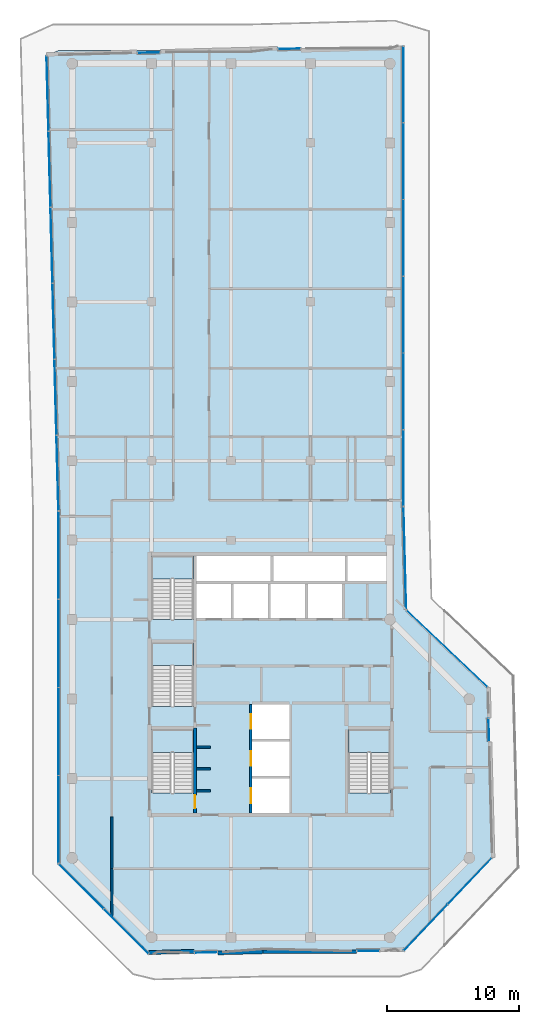
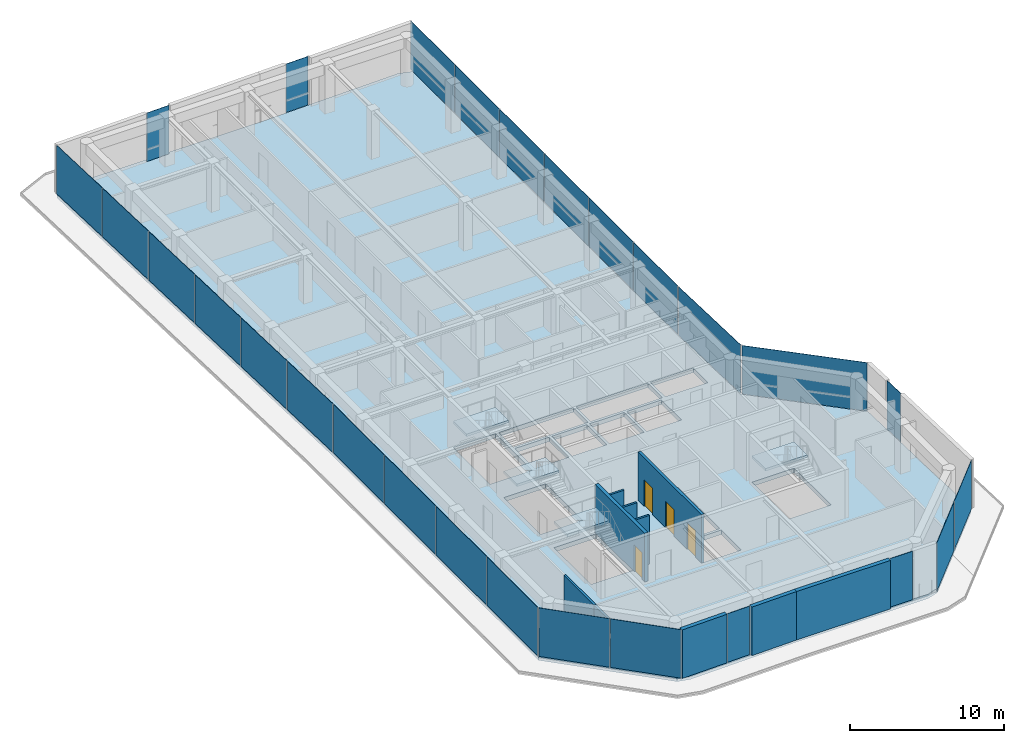
# One storey, part 15 of 20: 27 plates, 10 walls, 5 slabs, 4 doors, 4 openings, 16 elements without a shape of their own.
"""IFC4 building model written with IfcOpenShell, lengths in metres."""

from ifc_helpers import new_model, si_unit, direction, frame, frame_2d, origin, origin_2d, place, context, subcontext, project, spatial, polyline, rectangle, outline, extrude, material, layer, layer_set, type_object, element, fill, aggregate, save


model = new_model("IFC4")

# Units and contexts
model_context = context("Model", 3, precision=1e-05, world=origin(), true_north=direction((0.0, 1.0)))
body_context = subcontext(model_context, "Body", "Model", "MODEL_VIEW")
ifc_project = project(units=[si_unit("LENGTHUNIT", "METRE"), si_unit("AREAUNIT", "SQUARE_METRE"), si_unit("VOLUMEUNIT", "CUBIC_METRE"), si_unit("PLANEANGLEUNIT", "RADIAN"), si_unit("MASSUNIT", "GRAM", prefix="KILO")], contexts=[model_context])

# Site, building, storey
site_placement = place(None, origin())
site = spatial("IfcSite", under=ifc_project, at=site_placement, CompositionType="ELEMENT")
building_placement = place(site_placement, origin())
building = spatial("IfcBuilding", under=site, at=building_placement, Name="Welwitschia Terrace Campus", CompositionType="ELEMENT")
storey_placement = place(building_placement, frame((0.0, 0.0, 293.60009765625)))
storey = spatial("IfcBuildingStorey", under=building, at=storey_placement, Name="L65", CompositionType="ELEMENT", Elevation=293.60009765625)

# Curtain wall, plates
ifc_material_1 = material(Name="Bronze anodised aluminium", Category="aluminium")
ifc_layer_1 = layer(ifc_material_1, 0.1201171875)
ifc_layer_set_1 = layer_set([ifc_layer_1], Name="Bronze anodised aluminium")
curtain_wall_type = type_object("IfcCurtainWallType", Name="Curtain wall CW2 tower 6000", PredefinedType="NOTDEFINED", material=ifc_layer_set_1)
curtain_wall_1_placement = place(storey_placement, origin())
curtain_wall_1 = element("IfcCurtainWall", 1, at=curtain_wall_1_placement, inside=storey, type_object=curtain_wall_type, Name="CW L65.0.0", PredefinedType="NOTDEFINED")
ifc_material_2 = material(Name="Tinted bronze-grey glass", Category="glass")
ifc_layer_2 = layer(ifc_material_2, 0.028076171875)
ifc_layer_set_2 = layer_set([ifc_layer_2], Name="Tinted bronze-grey glass")
plate_type = type_object("IfcPlateType", Name="Glass panel 28 tinted", PredefinedType="CURTAIN_PANEL", material=ifc_layer_set_2)
plate_1_placement = place(storey_placement, frame((-1.85595703125, 59.731689453125, -0.000244140625), z_axis=(0.0, 0.0, 1.0), x_axis=(0.026176948308, -0.999657324976, 0.0)))
plate_1 = element("IfcPlate", 2, at=plate_1_placement, type_object=plate_type, Name="Panel L65.0.0.0", PredefinedType="CURTAIN_PANEL", context=body_context, shape_type="SweptSolid", body=[
    extrude(rectangle(XDim=5.649169921875, YDim=0.028076171875, at=origin_2d()), origin(), (0.0, 0.0, 1.0), 3.85009765625),
])
plate_2_placement = place(storey_placement, frame((-1.7060546875, 54.009521484375, -0.000244140625), z_axis=(0.0, 0.0, 1.0), x_axis=(0.026176948308, -0.999657324976, 0.0)))
plate_2 = element("IfcPlate", 3, at=plate_2_placement, type_object=plate_type, Name="Panel L65.0.0.1", PredefinedType="CURTAIN_PANEL", context=body_context, shape_type="SweptSolid", body=[
    extrude(rectangle(XDim=5.67919921875, YDim=0.028076171875, at=origin_2d()), origin(), (0.0, 0.0, 1.0), 3.85009765625),
])
plate_3_placement = place(storey_placement, frame((-1.555908203125, 48.272216796875, -0.000244140625), z_axis=(0.0, 0.0, 1.0), x_axis=(0.026176948308, -0.999657324976, 0.0)))
plate_3 = element("IfcPlate", 4, at=plate_3_placement, type_object=plate_type, Name="Panel L65.0.0.2", PredefinedType="CURTAIN_PANEL", context=body_context, shape_type="SweptSolid", body=[
    extrude(rectangle(XDim=5.67919921875, YDim=0.028076171875, at=origin_2d()), origin(), (0.0, 0.0, 1.0), 3.85009765625),
])
plate_4_placement = place(storey_placement, frame((-1.405517578125, 42.534912109375, -0.000244140625), z_axis=(0.0, 0.0, 1.0), x_axis=(0.026176948308, -0.999657324976, 0.0)))
plate_4 = element("IfcPlate", 5, at=plate_4_placement, type_object=plate_type, Name="Panel L65.0.0.3", PredefinedType="CURTAIN_PANEL", context=body_context, shape_type="SweptSolid", body=[
    extrude(rectangle(XDim=5.67919921875, YDim=0.028076171875, at=origin_2d()), origin(), (0.0, 0.0, 1.0), 3.85009765625),
])
plate_5_placement = place(storey_placement, frame((-1.25537109375, 36.797607421875, -0.000244140625), z_axis=(0.0, 0.0, 1.0), x_axis=(0.026176948308, -0.999657324976, 0.0)))
plate_5 = element("IfcPlate", 6, at=plate_5_placement, type_object=plate_type, Name="Panel L65.0.0.4", PredefinedType="CURTAIN_PANEL", context=body_context, shape_type="SweptSolid", body=[
    extrude(rectangle(XDim=5.67919921875, YDim=0.028076171875, at=origin_2d()), origin(), (0.0, 0.0, 1.0), 3.85009765625),
])
plate_6_placement = place(storey_placement, frame((-1.10546875, 31.075439453125, -0.000244140625), z_axis=(0.0, 0.0, 1.0), x_axis=(0.026176948308, -0.999657324976, 0.0)))
plate_6 = element("IfcPlate", 7, at=plate_6_placement, type_object=plate_type, Name="Panel L65.0.0.5", PredefinedType="CURTAIN_PANEL", context=body_context, shape_type="SweptSolid", body=[
    extrude(rectangle(XDim=5.649169921875, YDim=0.028076171875, at=origin_2d()), origin(), (0.0, 0.0, 1.0), 3.85009765625),
])
aggregate(curtain_wall_1, [plate_1, plate_2, plate_3, plate_4, plate_5, plate_6])

curtain_wall_2_placement = place(storey_placement, origin())
curtain_wall_2 = element("IfcCurtainWall", 8, at=curtain_wall_2_placement, inside=storey, type_object=curtain_wall_type, Name="CW L65.1.0", PredefinedType="NOTDEFINED")
plate_7_placement = place(storey_placement, frame((-1.030029296875, 24.849365234375, -0.000244140625), z_axis=(0.0, 0.0, 1.0), x_axis=(0.0, -1.0, 0.0)))
plate_7 = element("IfcPlate", 9, at=plate_7_placement, type_object=plate_type, Name="Panel L65.1.0.0", PredefinedType="CURTAIN_PANEL", context=body_context, shape_type="SweptSolid", body=[
    extrude(rectangle(XDim=6.564697265625, YDim=0.028076171875, at=origin_2d()), origin(), (0.0, 0.0, 1.0), 3.85009765625),
])
plate_8_placement = place(storey_placement, frame((-1.030029296875, 18.209716796875, -0.000244140625), z_axis=(0.0, 0.0, 1.0), x_axis=(0.0, -1.0, 0.0)))
plate_8 = element("IfcPlate", 10, at=plate_8_placement, type_object=plate_type, Name="Panel L65.1.0.1", PredefinedType="CURTAIN_PANEL", context=body_context, shape_type="SweptSolid", body=[
    extrude(rectangle(XDim=6.594482421875, YDim=0.028076171875, at=origin_2d()), origin(), (0.0, 0.0, 1.0), 3.85009765625),
])
plate_9_placement = place(storey_placement, frame((-1.030029296875, 11.55517578125, -0.000244140625), z_axis=(0.0, 0.0, 1.0), x_axis=(0.0, -1.0, 0.0)))
plate_9 = element("IfcPlate", 11, at=plate_9_placement, type_object=plate_type, Name="Panel L65.1.0.2", PredefinedType="CURTAIN_PANEL", context=body_context, shape_type="SweptSolid", body=[
    extrude(rectangle(XDim=6.594482421875, YDim=0.028076171875, at=origin_2d()), origin(), (0.0, 0.0, 1.0), 3.85009765625),
])
plate_10_placement = place(storey_placement, frame((-1.030029296875, 4.915771484375, -0.000244140625), z_axis=(0.0, 0.0, 1.0), x_axis=(0.0, -1.0, 0.0)))
plate_10 = element("IfcPlate", 12, at=plate_10_placement, type_object=plate_type, Name="Panel L65.1.0.3", PredefinedType="CURTAIN_PANEL", context=body_context, shape_type="SweptSolid", body=[
    extrude(rectangle(XDim=6.564697265625, YDim=0.028076171875, at=origin_2d()), origin(), (0.0, 0.0, 1.0), 3.85009765625),
])
aggregate(curtain_wall_2, [plate_7, plate_8, plate_9, plate_10])

curtain_wall_3_placement = place(storey_placement, origin())
curtain_wall_3 = element("IfcCurtainWall", 13, at=curtain_wall_3_placement, inside=storey, type_object=curtain_wall_type, Name="CW L65.2.0", PredefinedType="NOTDEFINED")
plate_11_placement = place(storey_placement, frame((0.687744140625, -0.14453125, -0.000244140625), z_axis=(0.0, 0.0, 1.0), x_axis=(0.707106781187, -0.707106781187, 0.0)))
plate_11 = element("IfcPlate", 14, at=plate_11_placement, type_object=plate_type, Name="Panel L65.2.0.0", PredefinedType="CURTAIN_PANEL", context=body_context, shape_type="SweptSolid", body=[
    extrude(rectangle(XDim=4.73876953125, YDim=0.028076171875, at=origin_2d()), origin(), (0.0, 0.0, 1.0), 3.85009765625),
])
plate_12_placement = place(storey_placement, frame((4.0810546875, -3.53759765625, -0.000244140625), z_axis=(0.0, 0.0, 1.0), x_axis=(0.707106781187, -0.707106781187, 0.0)))
plate_12 = element("IfcPlate", 15, at=plate_12_placement, type_object=plate_type, Name="Panel L65.2.0.1", PredefinedType="CURTAIN_PANEL", context=body_context, shape_type="SweptSolid", body=[
    extrude(rectangle(XDim=4.73876953125, YDim=0.028076171875, at=origin_2d()), origin(), (0.0, 0.0, 1.0), 3.85009765625),
])
aggregate(curtain_wall_3, [plate_11, plate_12])

# Curtain wall, plate
curtain_wall_4_placement = place(storey_placement, origin())
curtain_wall_4 = element("IfcCurtainWall", 16, at=curtain_wall_4_placement, inside=storey, type_object=curtain_wall_type, Name="CW L65.3.S0", PredefinedType="NOTDEFINED")
plate_13_placement = place(storey_placement, frame((10.104736328125, -5.142822265625, -0.000244140625), z_axis=(0.0, 0.0, 1.0), x_axis=(0.999657324976, 0.026176948308, 0.0)))
plate_13 = element("IfcPlate", 17, at=plate_13_placement, type_object=plate_type, Name="Panel L65.3.S0.0", PredefinedType="CURTAIN_PANEL", context=body_context, shape_type="SweptSolid", body=[
    extrude(rectangle(XDim=1.679931640625, YDim=0.028076171875, at=origin_2d()), origin(), (0.0, 0.0, 1.0), 3.85009765625),
])
aggregate(curtain_wall_4, [plate_13])

curtain_wall_5_placement = place(storey_placement, origin())
curtain_wall_5 = element("IfcCurtainWall", 18, at=curtain_wall_5_placement, inside=storey, type_object=curtain_wall_type, Name="CW L65.4.S0", PredefinedType="NOTDEFINED")
plate_14_placement = place(storey_placement, frame((22.373046875, -5.030029296875, -0.000244140625), z_axis=(0.0, 0.0, 1.0), x_axis=(1.0, 0.0, 0.0)))
plate_14 = element("IfcPlate", 19, at=plate_14_placement, type_object=plate_type, Name="Panel L65.4.S0.0", PredefinedType="CURTAIN_PANEL", context=body_context, shape_type="SweptSolid", body=[
    extrude(rectangle(XDim=1.679931640625, YDim=0.028076171875, at=origin_2d()), origin(), (0.0, 0.0, 1.0), 3.85009765625),
])
aggregate(curtain_wall_5, [plate_14])

# Curtain wall, plates
curtain_wall_6_placement = place(storey_placement, origin())
curtain_wall_6 = element("IfcCurtainWall", 20, at=curtain_wall_6_placement, inside=storey, type_object=curtain_wall_type, Name="CW L65.5.0", PredefinedType="NOTDEFINED")
plate_15_placement = place(storey_placement, frame((26.71240234375, -3.25439453125, -0.000244140625), z_axis=(0.0, 0.0, 1.0), x_axis=(0.688354575694, 0.725374371012, 0.0)))
plate_15 = element("IfcPlate", 21, at=plate_15_placement, type_object=plate_type, Name="Panel L65.5.0.0", PredefinedType="CURTAIN_PANEL", context=body_context, shape_type="SweptSolid", body=[
    extrude(rectangle(XDim=4.77587890625, YDim=0.028076171875, at=origin_2d()), origin(), (0.0, 0.0, 1.0), 3.85009765625),
])
plate_16_placement = place(storey_placement, frame((30.041015625, 0.25341796875, -0.000244140625), z_axis=(0.0, 0.0, 1.0), x_axis=(0.688354575694, 0.725374371012, 0.0)))
plate_16 = element("IfcPlate", 22, at=plate_16_placement, type_object=plate_type, Name="Panel L65.5.0.1", PredefinedType="CURTAIN_PANEL", context=body_context, shape_type="SweptSolid", body=[
    extrude(rectangle(XDim=4.77587890625, YDim=0.028076171875, at=origin_2d()), origin(), (0.0, 0.0, 1.0), 3.85009765625),
])
aggregate(curtain_wall_6, [plate_15, plate_16])

# Curtain wall, plate
curtain_wall_7_placement = place(storey_placement, origin())
curtain_wall_7 = element("IfcCurtainWall", 23, at=curtain_wall_7_placement, inside=storey, type_object=curtain_wall_type, Name="CW L65.6.S0", PredefinedType="NOTDEFINED")
plate_17_placement = place(storey_placement, frame((31.4736328125, 11.665771484375, -0.000244140625), z_axis=(0.0, 0.0, 1.0), x_axis=(-0.026176948308, 0.999657324976, 0.0)))
plate_17 = element("IfcPlate", 24, at=plate_17_placement, type_object=plate_type, Name="Panel L65.6.S0.0", PredefinedType="CURTAIN_PANEL", context=body_context, shape_type="SweptSolid", body=[
    extrude(rectangle(XDim=1.679931640625, YDim=0.028076171875, at=origin_2d()), origin(), (0.0, 0.0, 1.0), 3.85009765625),
])
aggregate(curtain_wall_7, [plate_17])

curtain_wall_8_placement = place(storey_placement, origin())
curtain_wall_8 = element("IfcCurtainWall", 25, at=curtain_wall_8_placement, inside=storey, type_object=curtain_wall_type, Name="CW L65.7.0", PredefinedType="NOTDEFINED")
plate_18_placement = place(storey_placement, frame((28.31201171875, 17.79833984375, -0.000244140625), z_axis=(0.0, 0.0, 1.0), x_axis=(-0.725374371012, 0.688354575694, 0.0)))
plate_18 = element("IfcPlate", 26, at=plate_18_placement, type_object=plate_type, Name="Panel L65.7.0.0", PredefinedType="CURTAIN_PANEL", context=body_context, shape_type="SweptSolid", body=[
    extrude(rectangle(XDim=8.365234375, YDim=0.028076171875, at=origin_2d()), origin(), (0.0, 0.0, 1.0), 3.85009765625),
])
aggregate(curtain_wall_8, [plate_18])

curtain_wall_9_placement = place(storey_placement, origin())
curtain_wall_9 = element("IfcCurtainWall", 27, at=curtain_wall_9_placement, inside=storey, type_object=curtain_wall_type, Name="CW L65.8.0", PredefinedType="NOTDEFINED")
plate_19_placement = place(storey_placement, frame((25.13232421875, 24.625732421875, -0.000244140625), z_axis=(0.0, 0.0, 1.0), x_axis=(-0.026176948308, 0.999657324976, 0.0)))
plate_19 = element("IfcPlate", 28, at=plate_19_placement, type_object=plate_type, Name="Panel L65.8.0.0", PredefinedType="CURTAIN_PANEL", context=body_context, shape_type="SweptSolid", body=[
    extrude(rectangle(XDim=7.69677734375, YDim=0.028076171875, at=origin_2d()), origin(), (0.0, 0.0, 1.0), 3.85009765625),
])
aggregate(curtain_wall_9, [plate_19])

# Curtain wall, plates
curtain_wall_10_placement = place(storey_placement, origin())
curtain_wall_10 = element("IfcCurtainWall", 29, at=curtain_wall_10_placement, inside=storey, type_object=curtain_wall_type, Name="CW L65.9.0", PredefinedType="NOTDEFINED")
plate_20_placement = place(storey_placement, frame((25.030029296875, 31.44775390625, -0.000244140625), z_axis=(0.0, 0.0, 1.0), x_axis=(0.0, 1.0, 0.0)))
plate_20 = element("IfcPlate", 30, at=plate_20_placement, type_object=plate_type, Name="Panel L65.9.0.0", PredefinedType="CURTAIN_PANEL", context=body_context, shape_type="SweptSolid", body=[
    extrude(rectangle(XDim=5.709716796875, YDim=0.028076171875, at=origin_2d()), origin(), (0.0, 0.0, 1.0), 3.85009765625),
])
plate_21_placement = place(storey_placement, frame((25.030029296875, 37.232421875, -0.000244140625), z_axis=(0.0, 0.0, 1.0), x_axis=(0.0, 1.0, 0.0)))
plate_21 = element("IfcPlate", 31, at=plate_21_placement, type_object=plate_type, Name="Panel L65.9.0.1", PredefinedType="CURTAIN_PANEL", context=body_context, shape_type="SweptSolid", body=[
    extrude(rectangle(XDim=5.73974609375, YDim=0.028076171875, at=origin_2d()), origin(), (0.0, 0.0, 1.0), 3.85009765625),
])
plate_22_placement = place(storey_placement, frame((25.030029296875, 43.0322265625, -0.000244140625), z_axis=(0.0, 0.0, 1.0), x_axis=(0.0, 1.0, 0.0)))
plate_22 = element("IfcPlate", 32, at=plate_22_placement, type_object=plate_type, Name="Panel L65.9.0.2", PredefinedType="CURTAIN_PANEL", context=body_context, shape_type="SweptSolid", body=[
    extrude(rectangle(XDim=5.73974609375, YDim=0.028076171875, at=origin_2d()), origin(), (0.0, 0.0, 1.0), 3.85009765625),
])
plate_23_placement = place(storey_placement, frame((25.030029296875, 48.83203125, -0.000244140625), z_axis=(0.0, 0.0, 1.0), x_axis=(0.0, 1.0, 0.0)))
plate_23 = element("IfcPlate", 33, at=plate_23_placement, type_object=plate_type, Name="Panel L65.9.0.3", PredefinedType="CURTAIN_PANEL", context=body_context, shape_type="SweptSolid", body=[
    extrude(rectangle(XDim=5.73974609375, YDim=0.028076171875, at=origin_2d()), origin(), (0.0, 0.0, 1.0), 3.85009765625),
])
plate_24_placement = place(storey_placement, frame((25.030029296875, 54.6318359375, -0.000244140625), z_axis=(0.0, 0.0, 1.0), x_axis=(0.0, 1.0, 0.0)))
plate_24 = element("IfcPlate", 34, at=plate_24_placement, type_object=plate_type, Name="Panel L65.9.0.4", PredefinedType="CURTAIN_PANEL", context=body_context, shape_type="SweptSolid", body=[
    extrude(rectangle(XDim=5.73974609375, YDim=0.028076171875, at=origin_2d()), origin(), (0.0, 0.0, 1.0), 3.85009765625),
])
plate_25_placement = place(storey_placement, frame((25.030029296875, 60.41650390625, -0.000244140625), z_axis=(0.0, 0.0, 1.0), x_axis=(0.0, 1.0, 0.0)))
plate_25 = element("IfcPlate", 35, at=plate_25_placement, type_object=plate_type, Name="Panel L65.9.0.5", PredefinedType="CURTAIN_PANEL", context=body_context, shape_type="SweptSolid", body=[
    extrude(rectangle(XDim=5.709716796875, YDim=0.028076171875, at=origin_2d()), origin(), (0.0, 0.0, 1.0), 3.85009765625),
])
aggregate(curtain_wall_10, [plate_20, plate_21, plate_22, plate_23, plate_24, plate_25])

# Curtain wall, plate
curtain_wall_11_placement = place(storey_placement, origin())
curtain_wall_11 = element("IfcCurtainWall", 36, at=curtain_wall_11_placement, inside=storey, type_object=curtain_wall_type, Name="CW L65.10.S0", PredefinedType="NOTDEFINED")
plate_26_placement = place(storey_placement, frame((16.397216796875, 63.10546875, -0.000244140625), z_axis=(0.0, 0.0, 1.0), x_axis=(-0.999657324976, -0.026176948308, 0.0)))
plate_26 = element("IfcPlate", 37, at=plate_26_placement, type_object=plate_type, Name="Panel L65.10.S0.0", PredefinedType="CURTAIN_PANEL", context=body_context, shape_type="SweptSolid", body=[
    extrude(rectangle(XDim=1.679931640625, YDim=0.028076171875, at=origin_2d()), origin(), (0.0, 0.0, 1.0), 3.85009765625),
])
aggregate(curtain_wall_11, [plate_26])

curtain_wall_12_placement = place(storey_placement, origin())
curtain_wall_12 = element("IfcCurtainWall", 38, at=curtain_wall_12_placement, inside=storey, type_object=curtain_wall_type, Name="CW L65.11.S0", PredefinedType="NOTDEFINED")
plate_27_placement = place(storey_placement, frame((5.7939453125, 62.82275390625, -0.000244140625), z_axis=(0.0, 0.0, 1.0), x_axis=(-0.999640164579, -0.026824268136, 0.0)))
plate_27 = element("IfcPlate", 39, at=plate_27_placement, type_object=plate_type, Name="Panel L65.11.S0.0", PredefinedType="CURTAIN_PANEL", context=body_context, shape_type="SweptSolid", body=[
    extrude(rectangle(XDim=1.679931640625, YDim=0.028076171875, at=origin_2d()), origin(), (0.0, 0.0, 1.0), 3.85009765625),
])
aggregate(curtain_wall_12, [plate_27])

# Stair, slab
ifc_material_3 = material(Name="Concrete C40/50", Category="concrete")
stair_type = type_object("IfcStairType", Name="Stair 24R 175 W1500", PredefinedType="HALF_TURN_STAIR", material=ifc_material_3)
stair_1_placement = place(storey_placement, origin())
stair_1 = element("IfcStair", 40, at=stair_1_placement, inside=storey, type_object=stair_type, Name="L65 Exit stair S1", PredefinedType="HALF_TURN_STAIR")
ifc_material_4 = material(Name="Concrete C40/50", Category="concrete")
ifc_layer_3 = layer(ifc_material_4, 0.199951171875)
ifc_layer_set_3 = layer_set([ifc_layer_3], Name="Concrete C40/50")
slab_type_1 = type_object("IfcSlabType", Name="Stair landing RC", PredefinedType="LANDING", material=ifc_layer_set_3)
slab_1_placement = place(storey_placement, frame((0.0, 0.0, 1.89990234375)))
slab_1 = element("IfcSlab", 41, at=slab_1_placement, type_object=slab_type_1, Name="S1 landing 1", PredefinedType="LANDING", context=body_context, shape_type="SweptSolid", body=[
    extrude(outline(polyline([(9.14990234375, 9.97998046875), (9.14990234375, 11.699951171875), (6.0, 11.699951171875), (6.0, 9.97998046875), (9.14990234375, 9.97998046875)])), origin(), (0.0, 0.0, 1.0), 0.199951171875),
])
aggregate(stair_1, [slab_1])

stair_2_placement = place(storey_placement, origin())
stair_2 = element("IfcStair", 42, at=stair_2_placement, inside=storey, type_object=stair_type, Name="L65 Exit stair S3", PredefinedType="HALF_TURN_STAIR")
slab_2_placement = place(storey_placement, frame((0.0, 0.0, 1.89990234375)))
slab_2 = element("IfcSlab", 43, at=slab_2_placement, type_object=slab_type_1, Name="S3 landing 1", PredefinedType="LANDING", context=body_context, shape_type="SweptSolid", body=[
    extrude(outline(polyline([(9.14990234375, 16.530029296875), (9.14990234375, 18.25), (6.0, 18.25), (6.0, 16.530029296875), (9.14990234375, 16.530029296875)])), origin(), (0.0, 0.0, 1.0), 0.199951171875),
])
aggregate(stair_2, [slab_2])

stair_3_placement = place(storey_placement, origin())
stair_3 = element("IfcStair", 44, at=stair_3_placement, inside=storey, type_object=stair_type, Name="L65 Exit stair S4", PredefinedType="HALF_TURN_STAIR")
slab_3_placement = place(storey_placement, frame((0.0, 0.0, 1.89990234375)))
slab_3 = element("IfcSlab", 45, at=slab_3_placement, type_object=slab_type_1, Name="S4 landing 1", PredefinedType="LANDING", context=body_context, shape_type="SweptSolid", body=[
    extrude(outline(polyline([(9.14990234375, 23.080078125), (9.14990234375, 24.800048828125), (6.0, 24.800048828125), (6.0, 23.080078125), (9.14990234375, 23.080078125)])), origin(), (0.0, 0.0, 1.0), 0.199951171875),
])
aggregate(stair_3, [slab_3])

stair_4_placement = place(storey_placement, origin())
stair_4 = element("IfcStair", 46, at=stair_4_placement, inside=storey, type_object=stair_type, Name="L65 Exit stair S2", PredefinedType="HALF_TURN_STAIR")
slab_4_placement = place(storey_placement, frame((0.0, 0.0, 1.89990234375)))
slab_4 = element("IfcSlab", 47, at=slab_4_placement, type_object=slab_type_1, Name="S2 landing 1", PredefinedType="LANDING", context=body_context, shape_type="SweptSolid", body=[
    extrude(outline(polyline([(24.0, 9.97998046875), (24.0, 11.699951171875), (20.85009765625, 11.699951171875), (20.85009765625, 9.97998046875), (24.0, 9.97998046875)])), origin(), (0.0, 0.0, 1.0), 0.199951171875),
])
aggregate(stair_4, [slab_4])

# Slab
ifc_material_5 = material(Name="Concrete C40/50", Category="concrete")
ifc_layer_4 = layer(ifc_material_5, 0.35009765625)
ifc_layer_set_4 = layer_set([ifc_layer_4], Name="Concrete C40/50")
slab_type_2 = type_object("IfcSlabType", Name="Suspended floor slab 350", PredefinedType="FLOOR", material=ifc_layer_set_4)
slab_5_placement = place(storey_placement, frame((0.0, 0.0, -0.35009765625)))
element("IfcSlab", 48, at=slab_5_placement, inside=storey, type_object=slab_type_2, Name="Floor slab L65", PredefinedType="FLOOR", context=body_context, shape_type="SweptSolid", body=[
    extrude(outline(polyline([(13.52001953125, 63.0), (24.090087890625, 63.27685546875), (25.0, 63.0), (25.0, 28.532470703125), (25.204833984375, 20.70556640625), (31.35986328125, 14.86474609375), (31.69580078125, 2.040771484375), (25.28466796875, -4.71533203125), (24.414306640625, -5.0), (14.41015625, -5.0), (6.462646484375, -5.2080078125), (5.585693359375, -5.0), (-1.0, 1.585693359375), (-1.0, 28.192138671875), (-1.90087890625, 62.59619140625), (-1.0, 63.0), (13.52001953125, 63.0)]), holes=[polyline([(13.60009765625, 8.0), (13.60009765625, 5.39990234375), (16.39990234375, 5.39990234375), (16.39990234375, 8.0), (13.60009765625, 8.0)]), polyline([(9.14990234375, 11.699951171875), (6.0, 11.699951171875), (6.0, 6.902099609375), (9.14990234375, 6.902099609375), (9.14990234375, 11.699951171875)]), polyline([(9.14990234375, 18.25), (6.0, 18.25), (6.0, 13.451904296875), (9.14990234375, 13.451904296875), (9.14990234375, 18.25)]), polyline([(12.0, 22.699951171875), (9.39990234375, 22.699951171875), (9.39990234375, 20.10009765625), (12.0, 20.10009765625), (12.0, 22.699951171875)]), polyline([(14.800048828125, 22.699951171875), (12.199951171875, 22.699951171875), (12.199951171875, 20.10009765625), (14.800048828125, 20.10009765625), (14.800048828125, 22.699951171875)]), polyline([(9.14990234375, 24.800048828125), (6.0, 24.800048828125), (6.0, 20.001953125), (9.14990234375, 20.001953125), (9.14990234375, 24.800048828125)]), polyline([(15.0, 24.800048828125), (9.39990234375, 24.800048828125), (9.39990234375, 22.89990234375), (15.0, 22.89990234375), (15.0, 24.800048828125)]), polyline([(20.85009765625, 11.699951171875), (20.85009765625, 6.902099609375), (24.0, 6.902099609375), (24.0, 11.699951171875), (20.85009765625, 11.699951171875)]), polyline([(16.39990234375, 10.800048828125), (13.60009765625, 10.800048828125), (13.60009765625, 8.199951171875), (16.39990234375, 8.199951171875), (16.39990234375, 10.800048828125)]), polyline([(16.39990234375, 13.60009765625), (13.60009765625, 13.60009765625), (13.60009765625, 11.0), (16.39990234375, 11.0), (16.39990234375, 13.60009765625)]), polyline([(17.60009765625, 22.699951171875), (15.0, 22.699951171875), (15.0, 20.10009765625), (17.60009765625, 20.10009765625), (17.60009765625, 22.699951171875)]), polyline([(20.39990234375, 22.699951171875), (17.800048828125, 22.699951171875), (17.800048828125, 20.10009765625), (20.39990234375, 20.10009765625), (20.39990234375, 22.699951171875)]), polyline([(20.60009765625, 24.800048828125), (15.199951171875, 24.800048828125), (15.199951171875, 22.89990234375), (20.60009765625, 22.89990234375), (20.60009765625, 24.800048828125)]), polyline([(24.0, 24.800048828125), (20.800048828125, 24.800048828125), (20.800048828125, 22.89990234375), (24.0, 22.89990234375), (24.0, 24.800048828125)])]), origin(), (0.0, 0.0, 1.0), 0.35009765625),
])

# Walls
ifc_material_6 = material(Name="Concrete C50/60", Category="concrete")
ifc_layer_5 = layer(ifc_material_6, 0.14990234375)
ifc_layer_set_5 = layer_set([ifc_layer_5], Name="Concrete C50/60")
wall_type_1 = type_object("IfcWallType", Name="Core wall 150 Concrete C50/60", PredefinedType="SHEAR", material=ifc_layer_set_5)
for number, where, z_axis, x_axis, name in (
    (49, (9.39990234375, 7.074951171875, 0.0), (0.0, 0.0, 1.0), (1.0, 0.0, 0.0), "Core wall"),
    (50, (9.39990234375, 8.72509765625, 0.0), (0.0, 0.0, 1.0), (1.0, 0.0, 0.0), "Core wall"),
    (51, (9.39990234375, 10.375, 0.0), (0.0, 0.0, 1.0), (1.0, 0.0, 0.0), "Core wall"),
):
    element("IfcWall", number, at=place(storey_placement, frame(where, z_axis=z_axis, x_axis=x_axis)), inside=storey, type_object=wall_type_1, Name=name, PredefinedType="SHEAR", context=body_context, shape_type="SweptSolid", body=[
        extrude(rectangle(XDim=1.050048828125, YDim=0.14990234375, at=frame_2d((0.52490234375, 0.0))), origin(), (0.0, 0.0, 1.0), 3.849853515625),
    ])

# Wall, openings, doors
ifc_material_7 = material(Name="Concrete C50/60", Category="concrete")
ifc_layer_6 = layer(ifc_material_7, 0.199951171875)
ifc_layer_set_6 = layer_set([ifc_layer_6], Name="Concrete C50/60")
wall_type_2 = type_object("IfcWallType", Name="Core wall 200 Concrete C50/60", PredefinedType="SHEAR", material=ifc_layer_set_6)
wall_1_placement = place(storey_placement, frame((13.5, 5.39990234375, 0.0), z_axis=(0.0, 0.0, 1.0), x_axis=(0.0, 1.0, 0.0)))
wall_1 = element("IfcWall", 52, at=wall_1_placement, inside=storey, type_object=wall_type_2, Name="Core wall", PredefinedType="SHEAR", context=body_context, shape_type="SweptSolid", body=[
    extrude(rectangle(XDim=8.2001953125, YDim=0.199951171875, at=frame_2d((4.10009765625, 0.0))), origin(), (0.0, 0.0, 1.0), 3.849853515625),
])
opening_1_placement = place(wall_1_placement, frame((0.75, 0.0, 0.0)))
opening_1 = element("IfcOpeningElement", 53, at=opening_1_placement, cuts=wall_1, Name="Opening LD", PredefinedType="OPENING", context=body_context, shape_type="SweptSolid", body=[
    extrude(rectangle(XDim=1.10009765625, YDim=2.10009765625, at=frame_2d((0.550048828125, 1.050048828125))), frame((0.0, 0.10986328125, 0.0), z_axis=(0.0, -1.0, 0.0), x_axis=(1.0, 0.0, 0.0)), (0.0, 0.0, 1.0), 0.219970703125),
])
opening_2_placement = place(wall_1_placement, frame((3.550048828125, 0.0, 0.0)))
opening_2 = element("IfcOpeningElement", 54, at=opening_2_placement, cuts=wall_1, Name="Opening LD", PredefinedType="OPENING", context=body_context, shape_type="SweptSolid", body=[
    extrude(rectangle(XDim=1.10009765625, YDim=2.10009765625, at=frame_2d((0.550048828125, 1.050048828125))), frame((0.0, 0.10986328125, 0.0), z_axis=(0.0, -1.0, 0.0), x_axis=(1.0, 0.0, 0.0)), (0.0, 0.0, 1.0), 0.219970703125),
])
opening_3_placement = place(wall_1_placement, frame((6.35009765625, 0.0, 0.0)))
opening_3 = element("IfcOpeningElement", 55, at=opening_3_placement, cuts=wall_1, Name="Opening LD", PredefinedType="OPENING", context=body_context, shape_type="SweptSolid", body=[
    extrude(rectangle(XDim=1.10009765625, YDim=2.10009765625, at=frame_2d((0.550048828125, 1.050048828125))), frame((0.0, 0.10986328125, 0.0), z_axis=(0.0, -1.0, 0.0), x_axis=(1.0, 0.0, 0.0)), (0.0, 0.0, 1.0), 0.219970703125),
])
ifc_material_8 = material(Name="Stainless steel 304", Category="steel")
door_type_1 = type_object("IfcDoorType", Name="Lift landing door", OperationType="DOUBLE_DOOR_SLIDING", PredefinedType="DOOR", material=ifc_material_8)
door_1_placement = place(opening_1_placement, origin())
door_1 = element("IfcDoor", 56, at=door_1_placement, inside=storey, type_object=door_type_1, Name="Landing door FF1", OperationType="DOUBLE_DOOR_SLIDING", OverallHeight=2.10009765625, OverallWidth=1.10009765625, PredefinedType="DOOR", context=body_context, shape_type="SweptSolid", body=[
    extrude(rectangle(XDim=1.10009765625, YDim=2.10009765625, at=frame_2d((0.550048828125, 1.050048828125))), frame((0.0, 0.02490234375, 0.0), z_axis=(0.0, -1.0, 0.0), x_axis=(1.0, 0.0, 0.0)), (0.0, 0.0, 1.0), 0.050048828125),
])
fill(opening_1, door_1)
door_2_placement = place(opening_2_placement, origin())
door_2 = element("IfcDoor", 57, at=door_2_placement, inside=storey, type_object=door_type_1, Name="Landing door FF2", OperationType="DOUBLE_DOOR_SLIDING", OverallHeight=2.10009765625, OverallWidth=1.10009765625, PredefinedType="DOOR", context=body_context, shape_type="SweptSolid", body=[
    extrude(rectangle(XDim=1.10009765625, YDim=2.10009765625, at=frame_2d((0.550048828125, 1.050048828125))), frame((0.0, 0.02490234375, 0.0), z_axis=(0.0, -1.0, 0.0), x_axis=(1.0, 0.0, 0.0)), (0.0, 0.0, 1.0), 0.050048828125),
])
fill(opening_2, door_2)
door_3_placement = place(opening_3_placement, origin())
door_3 = element("IfcDoor", 58, at=door_3_placement, inside=storey, type_object=door_type_1, Name="Landing door SV1", OperationType="DOUBLE_DOOR_SLIDING", OverallHeight=2.10009765625, OverallWidth=1.10009765625, PredefinedType="DOOR", context=body_context, shape_type="SweptSolid", body=[
    extrude(rectangle(XDim=1.10009765625, YDim=2.10009765625, at=frame_2d((0.550048828125, 1.050048828125))), frame((0.0, 0.02490234375, 0.0), z_axis=(0.0, -1.0, 0.0), x_axis=(1.0, 0.0, 0.0)), (0.0, 0.0, 1.0), 0.050048828125),
])
fill(opening_3, door_3)

# Wall, opening, door
ifc_material_9 = material(Name="Concrete C50/60", Category="concrete")
ifc_layer_7 = layer(ifc_material_9, 0.25)
ifc_layer_set_7 = layer_set([ifc_layer_7], Name="Concrete C50/60")
wall_type_3 = type_object("IfcWallType", Name="Core wall 250 Concrete C50/60", PredefinedType="SHEAR", material=ifc_layer_set_7)
wall_2_placement = place(storey_placement, frame((9.27490234375, 11.824951171875, 0.0), z_axis=(0.0, 0.0, 1.0), x_axis=(0.0, -1.0, 0.0)))
wall_2 = element("IfcWall", 59, at=wall_2_placement, inside=storey, type_object=wall_type_3, Name="Core wall", PredefinedType="SHEAR", context=body_context, shape_type="SweptSolid", body=[
    extrude(rectangle(XDim=6.425048828125, YDim=0.25, at=frame_2d((3.21240234375, 0.0))), origin(), (0.0, 0.0, 1.0), 3.849853515625),
])
opening_4_placement = place(wall_2_placement, frame((5.074951171875, 0.0, 0.0)))
opening_4 = element("IfcOpeningElement", 60, at=opening_4_placement, cuts=wall_2, Name="Opening DS10", PredefinedType="OPENING", context=body_context, shape_type="SweptSolid", body=[
    extrude(rectangle(XDim=1.0, YDim=2.10009765625, at=frame_2d((0.5, 1.050048828125))), frame((0.0, 0.135009765625, 0.0), z_axis=(0.0, -1.0, 0.0), x_axis=(1.0, 0.0, 0.0)), (0.0, 0.0, 1.0), 0.27001953125),
])
ifc_material_10 = material(Name="Steel S275", Category="steel")
door_type_2 = type_object("IfcDoorType", Name="Core door DS10", OperationType="SINGLE_SWING_LEFT", PredefinedType="DOOR", material=ifc_material_10)
door_4_placement = place(opening_4_placement, origin())
door_4 = element("IfcDoor", 61, at=door_4_placement, inside=storey, type_object=door_type_2, Name="Door S1-FL", OperationType="SINGLE_SWING_RIGHT", OverallHeight=2.10009765625, OverallWidth=1.0, PredefinedType="DOOR", context=body_context, shape_type="SweptSolid", body=[
    extrude(rectangle(XDim=1.0, YDim=2.10009765625, at=frame_2d((0.5, 1.050048828125))), frame((0.0, 0.02490234375, 0.0), z_axis=(0.0, -1.0, 0.0), x_axis=(1.0, 0.0, 0.0)), (0.0, 0.0, 1.0), 0.050048828125),
])
fill(opening_4, door_4)

# Walls
ifc_material_11 = material(Name="Gypsum board on steel studs", Category="steel")
ifc_layer_8 = layer(ifc_material_11, 0.14990234375)
ifc_layer_set_8 = layer_set([ifc_layer_8], Name="Gypsum board on steel studs")
wall_type_4 = type_object("IfcWallType", Name="Corridor partition 150 EI 30", PredefinedType="PARTITIONING", material=ifc_layer_set_8)
wall_3_placement = place(storey_placement, frame((3.0, -2.389892578125, 0.0), z_axis=(0.0, 0.0, 1.0), x_axis=(0.0, 1.0, 0.0)))
element("IfcWall", 62, at=wall_3_placement, inside=storey, type_object=wall_type_4, Name="Partition", PredefinedType="PARTITIONING", context=body_context, shape_type="SweptSolid", body=[
    extrude(rectangle(XDim=3.58984375, YDim=0.14990234375, at=frame_2d((1.794921875, 0.0))), origin(), (0.0, 0.0, 1.0), 2.89990234375),
])
wall_4_placement = place(storey_placement, frame((3.0, 1.199951171875, 0.0), z_axis=(0.0, 0.0, 1.0), x_axis=(0.0, 1.0, 0.0)))
element("IfcWall", 63, at=wall_4_placement, inside=storey, type_object=wall_type_4, Name="Partition", PredefinedType="PARTITIONING", context=body_context, shape_type="SweptSolid", body=[
    extrude(rectangle(XDim=3.900146484375, YDim=0.14990234375, at=frame_2d((1.9501953125, 0.0))), origin(), (0.0, 0.0, 1.0), 2.89990234375),
])
ifc_material_12 = material(Name="Concrete C40/50", Category="concrete")
ifc_layer_9 = layer(ifc_material_12, 0.300048828125)
ifc_layer_set_9 = layer_set([ifc_layer_9], Name="Concrete C40/50")
wall_type_5 = type_object("IfcWallType", Name="Mass wall 300", PredefinedType="SOLIDWALL", material=ifc_layer_set_9)
wall_5_placement = place(storey_placement, frame((5.7958984375, -5.143310546875, 0.0), z_axis=(0.0, 0.0, 1.0), x_axis=(0.999656048357, 0.026225655057, 0.0)))
element("IfcWall", 64, at=wall_5_placement, inside=storey, type_object=wall_type_5, Name="Mass wall L65.3.0", PredefinedType="SOLIDWALL", context=body_context, shape_type="SweptSolid", body=[
    extrude(rectangle(XDim=3.4072265625, YDim=0.300048828125, at=frame_2d((1.70361328125, 0.0))), origin(), (0.0, 0.0, 1.0), 3.849853515625),
])
wall_6_placement = place(storey_placement, frame((11.005615234375, -5.169189453125, 0.0), z_axis=(0.0, 0.0, 1.0), x_axis=(0.999657973353, 0.026152176052, 0.0)))
element("IfcWall", 65, at=wall_6_placement, inside=storey, type_object=wall_type_5, Name="Mass wall L65.3.1", PredefinedType="SOLIDWALL", context=body_context, shape_type="SweptSolid", body=[
    extrude(rectangle(XDim=3.407470703125, YDim=0.300048828125, at=frame_2d((1.70361328125, 0.0))), origin(), (0.0, 0.0, 1.0), 3.849853515625),
])
wall_7_placement = place(storey_placement, frame((14.410400390625, -5.080078125, 0.0), z_axis=(0.0, 0.0, 1.0), x_axis=(1.0, 0.0, 0.0)))
element("IfcWall", 66, at=wall_7_placement, inside=storey, type_object=wall_type_5, Name="Mass wall L65.4.0", PredefinedType="SOLIDWALL", context=body_context, shape_type="SweptSolid", body=[
    extrude(rectangle(XDim=7.062744140625, YDim=0.300048828125, at=frame_2d((3.53125, 0.0))), origin(), (0.0, 0.0, 1.0), 3.849853515625),
])

save(model, "model.ifc")
